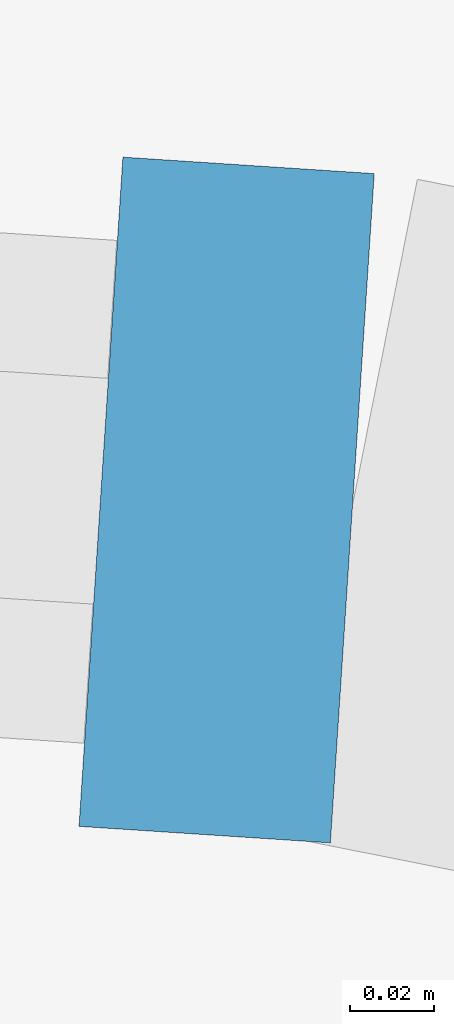
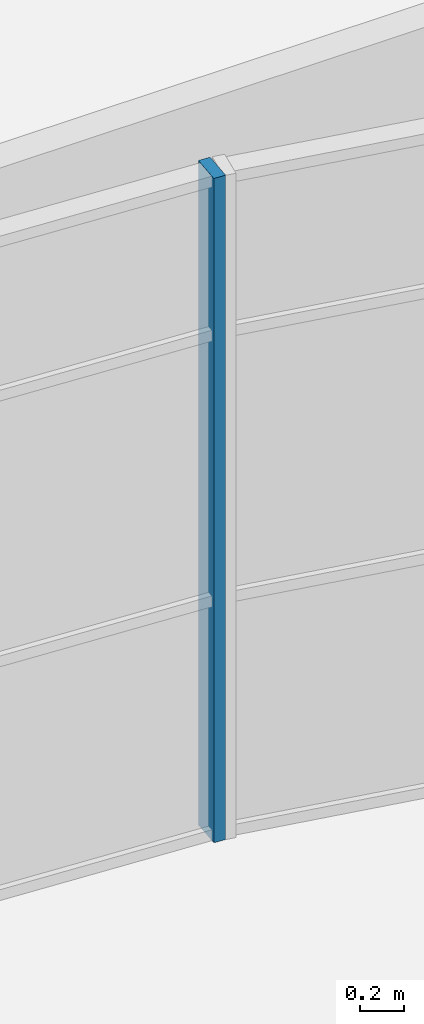
# One storey, part 30 of 83: 1 member, 1 element without a shape of its own.
"""IFC4 building model written with IfcOpenShell, lengths in metres."""

import ifcopenshell
import ifcopenshell.guid

model = None  # the IFC model being written
_history = None  # IfcOwnerHistory: only IFC2X3 demands one
_inside = {}  # id of a spatial element -> (the spatial element, [elements in it])
_under = {}  # id of a project, library or spatial element -> (it, [spatial elements below it])
_declared = {}  # id of a project -> (the project, [libraries it declares])
_typed = {}  # id of a type object -> (the type object, [elements of that type])
_made_of = {}  # id of a material, layer set ... -> (it, [elements and type objects made of it])


def new_model(schema):
    """Start an empty IFC model of exactly this schema.

    Asked for "IFC4X3", IfcOpenShell would pick the latest addendum, in which some entities
    have other attributes; the version numbers below select the first issue.
    IFC2X3 requires an IfcOwnerHistory on every rooted entity: one is made here for all.
    """
    global model, _history
    if schema == "IFC4X3":
        model = ifcopenshell.file(schema_version=(4, 3, 0, 0))
    else:
        model = ifcopenshell.file(schema=schema)
    _inside.clear()
    _under.clear()
    _declared.clear()
    _typed.clear()
    _made_of.clear()
    _history = None
    if model.schema == "IFC2X3":
        org = make("IfcOrganization", Name="unknown")
        user = make(
            "IfcPersonAndOrganization",
            ThePerson=make("IfcPerson", FamilyName="unknown"),
            TheOrganization=org,
        )
        app = make(
            "IfcApplication",
            ApplicationDeveloper=org,
            Version="unknown",
            ApplicationFullName="unknown",
            ApplicationIdentifier="unknown",
        )
        _history = make(
            "IfcOwnerHistory",
            OwningUser=user,
            OwningApplication=app,
            ChangeAction="ADDED",
            CreationDate=0,
        )
    return model


def make(cls, **values):
    """One entity of the class cls with the attributes given. An attribute that is None is left unset."""
    return model.create_entity(
        cls, **{name: value for name, value in values.items() if value is not None}
    )


def rooted(cls, **values):
    """An entity with a GlobalId (a new one), such as an element, a storey or a relation."""
    return make(cls, GlobalId=ifcopenshell.guid.new(), OwnerHistory=_history, **values)


def si_unit(unit_type, name, prefix=None):
    """IfcSIUnit, for example si_unit("LENGTHUNIT", "METRE", prefix="MILLI")."""
    return make("IfcSIUnit", UnitType=unit_type, Prefix=prefix, Name=name)


def assignment(units):
    """IfcUnitAssignment: the units of a project."""
    return None if units is None else make("IfcUnitAssignment", Units=units)


def point(xyz):
    """IfcCartesianPoint."""
    return None if xyz is None else make("IfcCartesianPoint", Coordinates=xyz)


def direction(xyz):
    """IfcDirection."""
    return None if xyz is None else make("IfcDirection", DirectionRatios=xyz)


def frame(location, z_axis=None, x_axis=None):
    """IfcAxis2Placement3D, a coordinate frame: its origin and axes. An axis left out is left unset."""
    return make(
        "IfcAxis2Placement3D",
        Location=point(location),
        Axis=direction(z_axis),
        RefDirection=direction(x_axis),
    )


def frame_2d(location, x_axis=None):
    """IfcAxis2Placement2D, a coordinate frame in the plane: its origin and x axis."""
    return make(
        "IfcAxis2Placement2D", Location=point(location), RefDirection=direction(x_axis)
    )


def origin():
    """The frame at (0, 0, 0) with its axes left unset."""
    return frame((0.0, 0.0, 0.0))


def origin_2d():
    """The frame at (0, 0) in the plane with its x axis left unset."""
    return frame_2d((0.0, 0.0))


def place(relative_to, where):
    """IfcLocalPlacement: puts the frame where relative to a parent placement (None: the world)."""
    return make(
        "IfcLocalPlacement", PlacementRelTo=relative_to, RelativePlacement=where
    )


def context(
    kind, dimensions, precision=None, world=None, true_north=None, identifier=None
):
    """IfcGeometricRepresentationContext, for example the 3D "Model" context."""
    return make(
        "IfcGeometricRepresentationContext",
        ContextIdentifier=identifier,
        ContextType=kind,
        CoordinateSpaceDimension=dimensions,
        Precision=precision,
        WorldCoordinateSystem=world,
        TrueNorth=true_north,
    )


def subcontext(parent, identifier, kind, view, scale=None):
    """IfcGeometricRepresentationSubContext, for example "Body" below "Model"."""
    return make(
        "IfcGeometricRepresentationSubContext",
        ContextIdentifier=identifier,
        ContextType=kind,
        ParentContext=parent,
        TargetScale=scale,
        TargetView=view,
    )


def project(units=None, contexts=None):
    """IfcProject with its units and contexts."""
    return rooted(
        "IfcProject",
        Name="project",
        RepresentationContexts=contexts,
        UnitsInContext=assignment(units),
    )


def spatial(cls, under=None, at=None, **own):
    """A site, building, storey or space (cls), placed at a placement, below another one or the project."""
    s = rooted(cls, ObjectPlacement=at, **own)
    if under is not None:
        _under.setdefault(under.id(), (under, []))[1].append(s)
    return s


def profile(cls, at=None, kind="AREA", **sizes):
    """A parametric profile (cls). Its sizes go by their IFC names, for example OverallWidth=200.0."""
    return make(cls, ProfileType=kind, Position=at, **sizes)


def rectangle(**sizes):
    """IfcRectangleProfileDef."""
    return profile("IfcRectangleProfileDef", **sizes)


def extrude(swept, where, along, depth):
    """IfcExtrudedAreaSolid: the profile swept, set in the frame where, extruded along a direction by depth."""
    return make(
        "IfcExtrudedAreaSolid",
        SweptArea=swept,
        Position=where,
        ExtrudedDirection=direction(along),
        Depth=depth,
    )


def shape(context_of_items, identifier, shape_type, items):
    """IfcShapeRepresentation: the items that make up one representation, for example the "Body"."""
    return make(
        "IfcShapeRepresentation",
        ContextOfItems=context_of_items,
        RepresentationIdentifier=identifier,
        RepresentationType=shape_type,
        Items=items,
    )


def material(Name=None, Category=None):
    """IfcMaterial."""
    return make("IfcMaterial", Name=Name, Category=Category)


def material_profile(
    of_material, cross_section, Name=None, Category=None, Priority=None
):
    """IfcMaterialProfile: a cross section and its material."""
    return make(
        "IfcMaterialProfile",
        Name=Name,
        Material=of_material,
        Profile=cross_section,
        Priority=Priority,
        Category=Category,
    )


def profile_set(profiles, Name=None, composite=None):
    """IfcMaterialProfileSet."""
    return make(
        "IfcMaterialProfileSet",
        Name=Name,
        MaterialProfiles=profiles,
        CompositeProfile=composite,
    )


def made_of(thing, what):
    """Note that an element or type object is made of a material, layer set ...; save() writes the relation."""
    if what is not None:
        _made_of.setdefault(what.id(), (what, []))[1].append(thing)
    return thing


def type_object(cls, material=None, **own):
    """A type object (cls), such as IfcWallType, which elements share."""
    return made_of(rooted(cls, **own), material)


def element(
    cls,
    number,
    at=None,
    inside=None,
    cuts=None,
    type_object=None,
    material=None,
    context=None,
    identifier="Body",
    shape_type=None,
    held_by="IfcProductDefinitionShape",
    body=None,
    shapes=None,
    **own,
):
    """One element of the class cls, such as IfcWall. Its Tag is "e" and its number.

    at: its placement. inside: the storey or other place that contains it. cuts: it is an
    opening in that element (IfcRelVoidsElement). A single representation is given by context,
    identifier, shape_type and body (its items); several are given by shapes. held_by: the class
    of the entity that holds the representations. save() writes the other relations.
    """
    e = rooted(cls, Tag="e%d" % number, ObjectPlacement=at, **own)
    if body is not None:
        shapes = [shape(context, identifier, shape_type, body)]
    if shapes is not None:
        e.Representation = make(held_by, Representations=shapes)
    if inside is not None:
        _inside.setdefault(inside.id(), (inside, []))[1].append(e)
    if cuts is not None:
        rooted(
            "IfcRelVoidsElement", RelatingBuildingElement=cuts, RelatedOpeningElement=e
        )
    if type_object is not None:
        _typed.setdefault(type_object.id(), (type_object, []))[1].append(e)
    return made_of(e, material)


def aggregate(whole, parts):
    """IfcRelAggregates: a whole, such as a stair, and the parts it consists of."""
    return rooted("IfcRelAggregates", RelatingObject=whole, RelatedObjects=parts)


def save(model, path):
    """Write the relations noted so far, then the file.

    IfcRelAggregates (storeys below a building ...), IfcRelContainedInSpatialStructure (elements
    in a storey), IfcRelDefinesByType, IfcRelAssociatesMaterial and IfcRelDeclares: one each for
    every whole, place, type object, material and project.
    """
    for whole, parts in _under.values():
        aggregate(whole, parts)
    for where, things in _inside.values():
        rooted(
            "IfcRelContainedInSpatialStructure",
            RelatedElements=things,
            RelatingStructure=where,
        )
    for kind, things in _typed.values():
        rooted("IfcRelDefinesByType", RelatedObjects=things, RelatingType=kind)
    for what, things in _made_of.values():
        rooted("IfcRelAssociatesMaterial", RelatedObjects=things, RelatingMaterial=what)
    for by, libraries in _declared.values():
        rooted("IfcRelDeclares", RelatingContext=by, RelatedDefinitions=libraries)
    model.write(path)


model = new_model("IFC4")

# Units and contexts
model_context = context("Model", 3, precision=1e-05, world=origin(), true_north=direction((0.0, 1.0)))
body_context = subcontext(model_context, "Body", "Model", "MODEL_VIEW")
ifc_project = project(units=[si_unit("LENGTHUNIT", "METRE"), si_unit("AREAUNIT", "SQUARE_METRE"), si_unit("VOLUMEUNIT", "CUBIC_METRE"), si_unit("PLANEANGLEUNIT", "RADIAN"), si_unit("MASSUNIT", "GRAM", prefix="KILO")], contexts=[model_context])

# Site, building, storey
site_placement = place(None, origin())
site = spatial("IfcSite", under=ifc_project, at=site_placement, CompositionType="ELEMENT")
building_placement = place(site_placement, origin())
building = spatial("IfcBuilding", under=site, at=building_placement, Name="Saryqyr Civic Hall", CompositionType="ELEMENT")
storey_placement = place(building_placement, frame((0.0, 0.0, 9.14990234375)))
storey = spatial("IfcBuildingStorey", under=building, at=storey_placement, Name="L02", CompositionType="ELEMENT", Elevation=9.14990234375)

# Curtain wall, member
ifc_material_1 = material(Name="Anodised aluminium and triple low-E glass", Category="aluminium")
curtain_wall_type = type_object("IfcCurtainWallType", Name="ENV-CW-STD-74", PredefinedType="NOTDEFINED", material=ifc_material_1)
curtain_wall_placement = place(storey_placement, origin())
curtain_wall = element("IfcCurtainWall", 1, at=curtain_wall_placement, inside=storey, type_object=curtain_wall_type, Name="Curtain wall V2-PERIM-CW-L02-11", PredefinedType="NOTDEFINED")
ifc_material_2 = material(Name="Anodised aluminium", Category="aluminium")
ifc_material_profile = material_profile(ifc_material_2, rectangle(XDim=0.06005859375, YDim=0.159912109375, at=origin_2d()), Name="ALU MULLION 60x160")
ifc_profile_set = profile_set([ifc_material_profile], Name="Anodised aluminium")
member_type = type_object("IfcMemberType", Name="ENV-CW-MUL-180", PredefinedType="MULLION", material=ifc_profile_set)
member_placement = place(storey_placement, frame((61.567138671875, 118.920654296875, 0.0), z_axis=(0.0, 0.0, 1.0), x_axis=(0.997859062814, -0.065400999681, 0.0)))
member = element("IfcMember", 2, at=member_placement, type_object=member_type, Name="CW-74 mullion 3", PredefinedType="MULLION", context=body_context, shape_type="SweptSolid", body=[
    extrude(rectangle(XDim=0.06005859375, YDim=0.159912109375, at=origin_2d()), origin(), (0.0, 0.0, 1.0), 3.7001953125),
])
aggregate(curtain_wall, [member])

save(model, "model.ifc")
